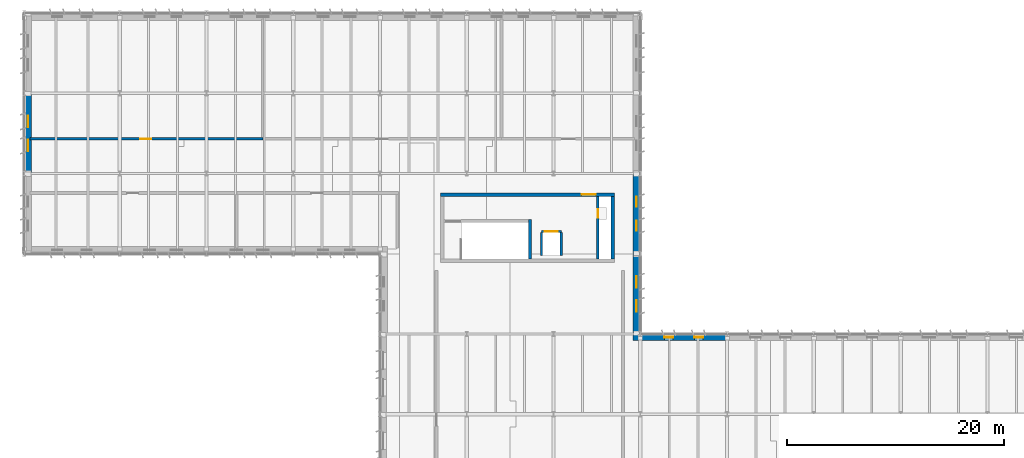
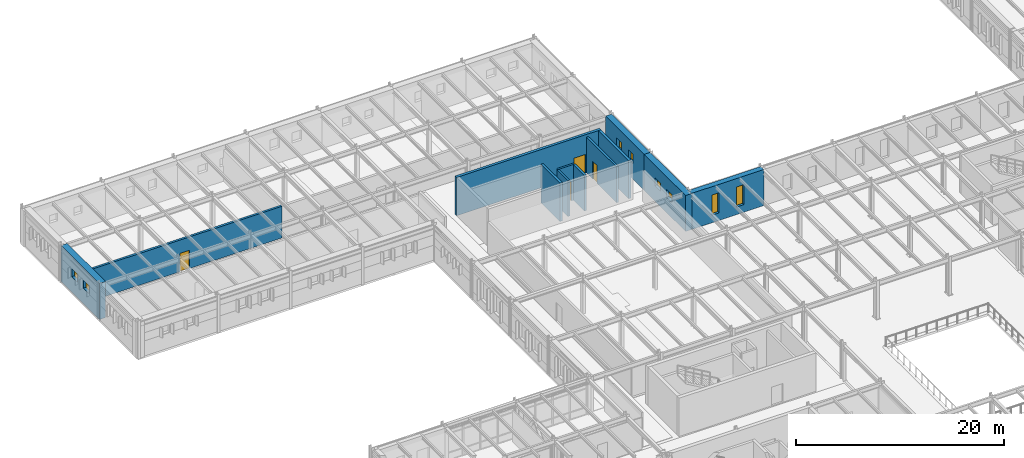
# One storey, part 46 of 75: 12 walls, 8 windows, 4 doors, 12 openings.
"""IFC4 building model written with IfcOpenShell, lengths in metres."""

from ifc_helpers import new_model, si_unit, direction, frame, frame_2d, origin, place, context, subcontext, project, spatial, rectangle, extrude, material, layer, layer_set, type_object, element, fill, save


model = new_model("IFC4")

# Units and contexts
model_context = context("Model", 3, precision=1e-05, world=origin(), true_north=direction((0.0, 1.0)))
body_context = subcontext(model_context, "Body", "Model", "MODEL_VIEW")
ifc_project = project(units=[si_unit("LENGTHUNIT", "METRE"), si_unit("AREAUNIT", "SQUARE_METRE"), si_unit("VOLUMEUNIT", "CUBIC_METRE"), si_unit("PLANEANGLEUNIT", "RADIAN"), si_unit("MASSUNIT", "GRAM", prefix="KILO")], contexts=[model_context])

# Site, building, storey
site_placement = place(None, origin())
site = spatial("IfcSite", under=ifc_project, at=site_placement, CompositionType="ELEMENT")
building_placement = place(site_placement, origin())
building = spatial("IfcBuilding", under=site, at=building_placement, Name="Valkorina Park Police Headquarters", CompositionType="ELEMENT")
storey_placement = place(building_placement, frame((0.0, 0.0, 5.39990234375)))
storey = spatial("IfcBuildingStorey", under=building, at=storey_placement, Name="L02", CompositionType="ELEMENT", Elevation=5.39990234375)

# Wall, opening, door
ifc_material_1 = material(Name="Autoclaved aerated concrete masonry", Category="masonry")
ifc_layer_1 = layer(ifc_material_1, 0.219970703125)
ifc_layer_set_1 = layer_set([ifc_layer_1], Name="Autoclaved aerated concrete masonry")
wall_type_1 = type_object("IfcWallType", Name="WL-CHASE-220-EI60", PredefinedType="PLUMBINGWALL", material=ifc_layer_set_1)
wall_1_placement = place(storey_placement, frame((47.68994140625, 90.860107421875, 0.0), z_axis=(0.0, 0.0, 1.0), x_axis=(1.0, 0.0, 0.0)))
wall_1 = element("IfcWall", 1, at=wall_1_placement, inside=storey, type_object=wall_type_1, Name="Lift LF-06 L02 Shaft Front Wall", PredefinedType="PLUMBINGWALL", context=body_context, shape_type="SweptSolid", body=[
    extrude(rectangle(XDim=1.820068359375, YDim=0.219970703125, at=frame_2d((0.91015625, 0.0))), origin(), (0.0, 0.0, 1.0), 4.2001953125),
])
opening_1_placement = place(wall_1_placement, frame((0.31005859375, 0.0, 0.0)))
opening_1 = element("IfcOpeningElement", 2, at=opening_1_placement, cuts=wall_1, Name="Opening LD-03", PredefinedType="OPENING", context=body_context, shape_type="SweptSolid", body=[
    extrude(rectangle(XDim=1.199951171875, YDim=2.25, at=frame_2d((0.60009765625, 1.125))), frame((0.0, 0.1201171875, 0.0), z_axis=(0.0, -1.0, 0.0), x_axis=(1.0, 0.0, 0.0)), (0.0, 0.0, 1.0), 0.239990234375),
])
ifc_material_2 = material(Name="Stainless steel EN 1.4404", Category="steel")
ifc_layer_2 = layer(ifc_material_2, 0.050048828125)
ifc_layer_set_2 = layer_set([ifc_layer_2], Name="Stainless steel EN 1.4404")
door_type_1 = type_object("IfcDoorType", Name="DR-LIFT-CUST-1200x2250", OperationType="NOTDEFINED", PredefinedType="DOOR", material=ifc_layer_set_2)
door_1_placement = place(opening_1_placement, origin())
door_1 = element("IfcDoor", 3, at=door_1_placement, inside=storey, type_object=door_type_1, Name="Lift Landing Door LF-06-L02", OperationType="DOUBLE_DOOR_SLIDING", OverallHeight=2.25, OverallWidth=1.199951171875, PredefinedType="DOOR", context=body_context, shape_type="SweptSolid", body=[
    extrude(rectangle(XDim=1.199951171875, YDim=2.25, at=frame_2d((0.60009765625, 1.125))), frame((0.0, 0.02490234375, 0.0), z_axis=(0.0, -1.0, 0.0), x_axis=(1.0, 0.0, 0.0)), (0.0, 0.0, 1.0), 0.050048828125),
])
fill(opening_1, door_1)

# Walls
for number, where, z_axis, x_axis, name in (
    (4, (47.68994140625, 88.64990234375, 0.0), (0.0, 0.0, 1.0), (0.0, 1.0, 0.0), "Lift LF-06 L02 Shaft Side Wall W"),
    (5, (49.510009765625, 88.64990234375, 0.0), (0.0, 0.0, 1.0), (0.0, 1.0, 0.0), "Lift LF-06 L02 Shaft Side Wall E"),
):
    element("IfcWall", number, at=place(storey_placement, frame(where, z_axis=z_axis, x_axis=x_axis)), inside=storey, type_object=wall_type_1, Name=name, PredefinedType="PLUMBINGWALL", context=body_context, shape_type="SweptSolid", body=[
        extrude(rectangle(XDim=2.10009765625, YDim=0.219970703125, at=frame_2d((1.050048828125, 0.0))), origin(), (0.0, 0.0, 1.0), 4.2001953125),
    ])

# Wall, opening, door
wall_2_placement = place(storey_placement, frame((52.889892578125, 88.300048828125, 0.0), z_axis=(0.0, 0.0, 1.0), x_axis=(0.0, 1.0, 0.0)))
wall_2 = element("IfcWall", 6, at=wall_2_placement, inside=storey, type_object=wall_type_1, Name="Core C4 L02 Riser Shaft West Wall", PredefinedType="PLUMBINGWALL", context=body_context, shape_type="SweptSolid", body=[
    extrude(rectangle(XDim=5.800048828125, YDim=0.219970703125, at=frame_2d((2.89990234375, 0.0))), origin(), (0.0, 0.0, 1.0), 4.2001953125),
])
opening_2_placement = place(wall_2_placement, frame((3.800048828125, 0.0, 0.0)))
opening_2 = element("IfcOpeningElement", 7, at=opening_2_placement, cuts=wall_2, Name="Opening ID-01", PredefinedType="OPENING", context=body_context, shape_type="SweptSolid", body=[
    extrude(rectangle(XDim=0.800048828125, YDim=2.10009765625, at=frame_2d((0.39990234375, 1.050048828125))), frame((0.0, 0.1201171875, 0.0), z_axis=(0.0, -1.0, 0.0), x_axis=(1.0, 0.0, 0.0)), (0.0, 0.0, 1.0), 0.239990234375),
])
ifc_material_3 = material(Name="Galvanized steel door leaf", Category="steel")
ifc_layer_3 = layer(ifc_material_3, 0.050048828125)
ifc_layer_set_3 = layer_set([ifc_layer_3], Name="Galvanized steel door leaf")
door_type_2 = type_object("IfcDoorType", Name="DR-INT-RISER-800x2100", OperationType="NOTDEFINED", PredefinedType="DOOR", material=ifc_layer_set_3)
door_2_placement = place(opening_2_placement, origin())
door_2 = element("IfcDoor", 8, at=door_2_placement, inside=storey, type_object=door_type_2, Name="Riser Shaft Access Door C4-L02", OperationType="SINGLE_SWING_RIGHT", OverallHeight=2.10009765625, OverallWidth=0.800048828125, PredefinedType="DOOR", context=body_context, shape_type="SweptSolid", body=[
    extrude(rectangle(XDim=0.800048828125, YDim=2.10009765625, at=frame_2d((0.39990234375, 1.050048828125))), frame((0.0, 0.02490234375, 0.0), z_axis=(0.0, -1.0, 0.0), x_axis=(1.0, 0.0, 0.0)), (0.0, 0.0, 1.0), 0.050048828125),
])
fill(opening_2, door_2)

ifc_material_4 = material(Name="Concrete C40/50", Category="concrete")
ifc_layer_4 = layer(ifc_material_4, 0.300048828125)
ifc_layer_set_4 = layer_set([ifc_layer_4], Name="Concrete C40/50")
wall_type_2 = type_object("IfcWallType", Name="WL-CORE-300-REI120", PredefinedType="SHEAR", material=ifc_layer_set_4)
wall_3_placement = place(storey_placement, frame((38.39990234375, 94.25, 0.0), z_axis=(0.0, 0.0, 1.0), x_axis=(1.0, 0.0, 0.0)))
wall_3 = element("IfcWall", 9, at=wall_3_placement, inside=storey, type_object=wall_type_2, Name="Core C4 L02 Shear Wall N", PredefinedType="SHEAR", context=body_context, shape_type="SweptSolid", body=[
    extrude(rectangle(XDim=16.0, YDim=0.300048828125, at=frame_2d((8.0, 0.0))), origin(), (0.0, 0.0, 1.0), 4.4951171875),
])
opening_3_placement = place(wall_3_placement, frame((13.0, 0.0, 0.0)))
opening_3 = element("IfcOpeningElement", 10, at=opening_3_placement, cuts=wall_3, Name="Opening FD-03", PredefinedType="OPENING", context=body_context, shape_type="SweptSolid", body=[
    extrude(rectangle(XDim=1.300048828125, YDim=2.199951171875, at=frame_2d((0.64990234375, 1.10009765625))), frame((0.0, 0.16015625, 0.0), z_axis=(0.0, -1.0, 0.0), x_axis=(1.0, 0.0, 0.0)), (0.0, 0.0, 1.0), 0.320068359375),
])
ifc_layer_5 = layer(ifc_material_3, 0.050048828125)
ifc_layer_set_5 = layer_set([ifc_layer_5], Name="Galvanized steel door leaf")
door_type_3 = type_object("IfcDoorType", Name="DR-FIRE-STAIR-1300x2200", OperationType="NOTDEFINED", PredefinedType="DOOR", material=ifc_layer_set_5)
door_3_placement = place(opening_3_placement, origin())
door_3 = element("IfcDoor", 11, at=door_3_placement, inside=storey, type_object=door_type_3, Name="Door D-L02-LBY-C4 (Core C4 Lobby Fire Door)", OperationType="SINGLE_SWING_LEFT", OverallHeight=2.199951171875, OverallWidth=1.300048828125, PredefinedType="DOOR", context=body_context, shape_type="SweptSolid", body=[
    extrude(rectangle(XDim=1.300048828125, YDim=2.199951171875, at=frame_2d((0.64990234375, 1.10009765625))), frame((0.0, 0.02490234375, 0.0), z_axis=(0.0, -1.0, 0.0), x_axis=(1.0, 0.0, 0.0)), (0.0, 0.0, 1.0), 0.050048828125),
])
fill(opening_3, door_3)

# Wall
wall_4_placement = place(storey_placement, frame((54.25, 88.300048828125, 0.0), z_axis=(0.0, 0.0, 1.0), x_axis=(0.0, 1.0, 0.0)))
element("IfcWall", 12, at=wall_4_placement, inside=storey, type_object=wall_type_2, Name="Core C4 L02 Shear Wall E", PredefinedType="SHEAR", context=body_context, shape_type="SweptSolid", body=[
    extrude(rectangle(XDim=5.800048828125, YDim=0.300048828125, at=frame_2d((2.89990234375, 0.0))), origin(), (0.0, 0.0, 1.0), 4.4951171875),
])

# Wall, opening, door
ifc_layer_6 = layer(ifc_material_4, 0.25)
ifc_layer_set_6 = layer_set([ifc_layer_6], Name="Concrete C40/50")
wall_type_3 = type_object("IfcWallType", Name="WL-CUST-250-REI120", PredefinedType="SOLIDWALL", material=ifc_layer_set_6)
wall_5_placement = place(storey_placement, frame((0.5400390625, 99.39990234375, 0.0), z_axis=(0.0, 0.0, 1.0), x_axis=(1.0, 0.0, 0.0)))
wall_5 = element("IfcWall", 13, at=wall_5_placement, inside=storey, type_object=wall_type_3, Name="L02 Interior Partition 0129 (L02-CELL-A)", PredefinedType="SOLIDWALL", context=body_context, shape_type="SweptSolid", body=[
    extrude(rectangle(XDim=21.4599609375, YDim=0.25, at=frame_2d((10.72998046875, 0.0))), origin(), (0.0, 0.0, 1.0), 3.710205078125),
])
opening_4_placement = place(wall_5_placement, frame((10.135009765625, 0.0, 0.0)))
opening_4 = element("IfcOpeningElement", 14, at=opening_4_placement, cuts=wall_5, Name="Opening FD-01", PredefinedType="OPENING", context=body_context, shape_type="SweptSolid", body=[
    extrude(rectangle(XDim=1.050048828125, YDim=2.14990234375, at=frame_2d((0.52490234375, 1.074951171875))), frame((0.0, 0.135009765625, 0.0), z_axis=(0.0, -1.0, 0.0), x_axis=(1.0, 0.0, 0.0)), (0.0, 0.0, 1.0), 0.27001953125),
])
ifc_layer_7 = layer(ifc_material_3, 0.050048828125)
ifc_layer_set_7 = layer_set([ifc_layer_7], Name="Galvanized steel door leaf")
door_type_4 = type_object("IfcDoorType", Name="DR-FIRE-CELL-1050x2150", OperationType="NOTDEFINED", PredefinedType="DOOR", material=ifc_layer_set_7)
door_4_placement = place(opening_4_placement, origin())
door_4 = element("IfcDoor", 15, at=door_4_placement, inside=storey, type_object=door_type_4, Name="Door D-L02-I059 (L02-CELL-A)", OperationType="SINGLE_SWING_RIGHT", OverallHeight=2.14990234375, OverallWidth=1.050048828125, PredefinedType="DOOR", context=body_context, shape_type="SweptSolid", body=[
    extrude(rectangle(XDim=1.050048828125, YDim=2.14990234375, at=frame_2d((0.52490234375, 1.074951171875))), frame((0.0, 0.02490234375, 0.0), z_axis=(0.0, -1.0, 0.0), x_axis=(1.0, 0.0, 0.0)), (0.0, 0.0, 1.0), 0.050048828125),
])
fill(opening_4, door_4)

# Wall, openings, windows
ifc_material_5 = material(Name="Concrete C35/45", Category="concrete")
ifc_layer_8 = layer(ifc_material_5, 0.580078125)
ifc_layer_set_8 = layer_set([ifc_layer_8], Name="Concrete C35/45")
wall_type_4 = type_object("IfcWallType", Name="WL-EXT-BOARD-580", PredefinedType="STANDARD", material=ifc_layer_set_8)
wall_6_placement = place(storey_placement, frame((56.800048828125, 81.110107421875, 0.0), z_axis=(0.0, 0.0, 1.0), x_axis=(1.0, 0.0, 0.0)))
wall_6 = element("IfcWall", 16, at=wall_6_placement, inside=storey, type_object=wall_type_4, Name="L02 Architectural Concrete Exterior Wall 0135", PredefinedType="STANDARD", context=body_context, shape_type="SweptSolid", body=[
    extrude(rectangle(XDim=8.0, YDim=0.580078125, at=frame_2d((4.0, 0.0))), origin(), (0.0, 0.0, 1.0), 4.239990234375),
])
opening_5_placement = place(wall_6_placement, frame((2.217529296875, 0.0, 0.89990234375)))
opening_5 = element("IfcOpeningElement", 17, at=opening_5_placement, cuts=wall_6, Name="Opening WN-12", PredefinedType="OPENING", context=body_context, shape_type="SweptSolid", body=[
    extrude(rectangle(XDim=0.800048828125, YDim=2.35009765625, at=frame_2d((0.39990234375, 1.175048828125))), frame((0.0, 0.300048828125, 0.0), z_axis=(0.0, -1.0, 0.0), x_axis=(1.0, 0.0, 0.0)), (0.0, 0.0, 1.0), 0.60009765625),
])
opening_6_placement = place(wall_6_placement, frame((4.982421875, 0.0, 0.89990234375)))
opening_6 = element("IfcOpeningElement", 18, at=opening_6_placement, cuts=wall_6, Name="Opening WN-12", PredefinedType="OPENING", context=body_context, shape_type="SweptSolid", body=[
    extrude(rectangle(XDim=0.800048828125, YDim=2.35009765625, at=frame_2d((0.39990234375, 1.175048828125))), frame((0.0, 0.300048828125, 0.0), z_axis=(0.0, -1.0, 0.0), x_axis=(1.0, 0.0, 0.0)), (0.0, 0.0, 1.0), 0.60009765625),
])
ifc_material_6 = material(Name="Triple low-E insulated glazing", Category="glass")
ifc_layer_9 = layer(ifc_material_6, 0.06005859375)
ifc_layer_set_9 = layer_set([ifc_layer_9], Name="Triple low-E insulated glazing")
window_type_1 = type_object("IfcWindowType", Name="WN-SLOT-800x2350", PartitioningType="SINGLE_PANEL", PredefinedType="WINDOW", material=ifc_layer_set_9)
window_1_placement = place(opening_5_placement, origin())
window_1 = element("IfcWindow", 19, at=window_1_placement, inside=storey, type_object=window_type_1, Name="Window L02-0222", OverallHeight=2.35009765625, OverallWidth=0.800048828125, PartitioningType="SINGLE_PANEL", PredefinedType="WINDOW", context=body_context, shape_type="SweptSolid", body=[
    extrude(rectangle(XDim=0.800048828125, YDim=2.35009765625, at=frame_2d((0.39990234375, 1.175048828125))), frame((0.0, 0.030029296875, 0.0), z_axis=(0.0, -1.0, 0.0), x_axis=(1.0, 0.0, 0.0)), (0.0, 0.0, 1.0), 0.06005859375),
])
fill(opening_5, window_1)
window_2_placement = place(opening_6_placement, origin())
window_2 = element("IfcWindow", 20, at=window_2_placement, inside=storey, type_object=window_type_1, Name="Window L02-0223", OverallHeight=2.35009765625, OverallWidth=0.800048828125, PartitioningType="SINGLE_PANEL", PredefinedType="WINDOW", context=body_context, shape_type="SweptSolid", body=[
    extrude(rectangle(XDim=0.800048828125, YDim=2.35009765625, at=frame_2d((0.39990234375, 1.175048828125))), frame((0.0, 0.030029296875, 0.0), z_axis=(0.0, -1.0, 0.0), x_axis=(1.0, 0.0, 0.0)), (0.0, 0.0, 1.0), 0.06005859375),
])
fill(opening_6, window_2)

ifc_material_7 = material(Name="Precast concrete C40/50", Category="concrete")
ifc_layer_10 = layer(ifc_material_7, 0.679931640625)
ifc_layer_set_10 = layer_set([ifc_layer_10], Name="Precast concrete C40/50")
wall_type_5 = type_object("IfcWallType", Name="WL-EXT-DOLOMITE-680", PredefinedType="SOLIDWALL", material=ifc_layer_set_10)
wall_7_placement = place(storey_placement, frame((0.340087890625, 96.199951171875, 0.0), z_axis=(0.0, 0.0, 1.0), x_axis=(0.0, 1.0, 0.0)))
wall_7 = element("IfcWall", 21, at=wall_7_placement, inside=storey, type_object=wall_type_5, Name="L02 Architectural Concrete Exterior Wall 0122", PredefinedType="SOLIDWALL", context=body_context, shape_type="SweptSolid", body=[
    extrude(rectangle(XDim=7.400146484375, YDim=0.679931640625, at=frame_2d((3.7001953125, 0.0))), origin(), (0.0, 0.0, 1.0), 4.22021484375),
])
opening_7_placement = place(wall_7_placement, frame((2.066162109375, 0.0, 1.800048828125)))
opening_7 = element("IfcOpeningElement", 22, at=opening_7_placement, cuts=wall_7, Name="Opening WN-15", PredefinedType="OPENING", context=body_context, shape_type="SweptSolid", body=[
    extrude(rectangle(XDim=1.050048828125, YDim=0.949951171875, at=frame_2d((0.52490234375, 0.47509765625))), frame((0.0, 0.35009765625, 0.0), z_axis=(0.0, -1.0, 0.0), x_axis=(1.0, 0.0, 0.0)), (0.0, 0.0, 1.0), 0.699951171875),
])
opening_8_placement = place(wall_7_placement, frame((4.28369140625, 0.0, 1.800048828125)))
opening_8 = element("IfcOpeningElement", 23, at=opening_8_placement, cuts=wall_7, Name="Opening WN-15", PredefinedType="OPENING", context=body_context, shape_type="SweptSolid", body=[
    extrude(rectangle(XDim=1.050048828125, YDim=0.949951171875, at=frame_2d((0.52490234375, 0.47509765625))), frame((0.0, 0.35009765625, 0.0), z_axis=(0.0, -1.0, 0.0), x_axis=(1.0, 0.0, 0.0)), (0.0, 0.0, 1.0), 0.699951171875),
])
ifc_material_8 = material(Name="Ballistic laminated glazing BR4-NS", Category="glass")
ifc_layer_11 = layer(ifc_material_8, 0.06005859375)
ifc_layer_set_11 = layer_set([ifc_layer_11], Name="Ballistic laminated glazing BR4-NS")
window_type_2 = type_object("IfcWindowType", Name="WN-CUST-1050x950", PartitioningType="SINGLE_PANEL", PredefinedType="WINDOW", material=ifc_layer_set_11)
window_3_placement = place(opening_7_placement, origin())
window_3 = element("IfcWindow", 24, at=window_3_placement, inside=storey, type_object=window_type_2, Name="Window L02-0196", OverallHeight=0.949951171875, OverallWidth=1.050048828125, PartitioningType="SINGLE_PANEL", PredefinedType="WINDOW", context=body_context, shape_type="SweptSolid", body=[
    extrude(rectangle(XDim=1.050048828125, YDim=0.949951171875, at=frame_2d((0.52490234375, 0.47509765625))), frame((0.0, 0.030029296875, 0.0), z_axis=(0.0, -1.0, 0.0), x_axis=(1.0, 0.0, 0.0)), (0.0, 0.0, 1.0), 0.06005859375),
])
fill(opening_7, window_3)
window_4_placement = place(opening_8_placement, origin())
window_4 = element("IfcWindow", 25, at=window_4_placement, inside=storey, type_object=window_type_2, Name="Window L02-0197", OverallHeight=0.949951171875, OverallWidth=1.050048828125, PartitioningType="SINGLE_PANEL", PredefinedType="WINDOW", context=body_context, shape_type="SweptSolid", body=[
    extrude(rectangle(XDim=1.050048828125, YDim=0.949951171875, at=frame_2d((0.52490234375, 0.47509765625))), frame((0.0, 0.030029296875, 0.0), z_axis=(0.0, -1.0, 0.0), x_axis=(1.0, 0.0, 0.0)), (0.0, 0.0, 1.0), 0.06005859375),
])
fill(opening_8, window_4)

wall_8_placement = place(storey_placement, frame((56.4599609375, 96.199951171875, 0.0), z_axis=(0.0, 0.0, 1.0), x_axis=(0.0, -1.0, 0.0)))
wall_8 = element("IfcWall", 26, at=wall_8_placement, inside=storey, type_object=wall_type_5, Name="L02 Architectural Concrete Exterior Wall 0133", PredefinedType="SOLIDWALL", context=body_context, shape_type="SweptSolid", body=[
    extrude(rectangle(XDim=7.39990234375, YDim=0.679931640625, at=frame_2d((3.699951171875, 0.0))), origin(), (0.0, 0.0, 1.0), 4.22021484375),
])
opening_9_placement = place(wall_8_placement, frame((2.14111328125, 0.0, 1.800048828125)))
opening_9 = element("IfcOpeningElement", 27, at=opening_9_placement, cuts=wall_8, Name="Opening WN-14", PredefinedType="OPENING", context=body_context, shape_type="SweptSolid", body=[
    extrude(rectangle(XDim=0.89990234375, YDim=1.14990234375, at=frame_2d((0.449951171875, 0.574951171875))), frame((0.0, 0.35009765625, 0.0), z_axis=(0.0, -1.0, 0.0), x_axis=(1.0, 0.0, 0.0)), (0.0, 0.0, 1.0), 0.699951171875),
])
opening_10_placement = place(wall_8_placement, frame((4.35888671875, 0.0, 1.800048828125)))
opening_10 = element("IfcOpeningElement", 28, at=opening_10_placement, cuts=wall_8, Name="Opening WN-14", PredefinedType="OPENING", context=body_context, shape_type="SweptSolid", body=[
    extrude(rectangle(XDim=0.89990234375, YDim=1.14990234375, at=frame_2d((0.449951171875, 0.574951171875))), frame((0.0, 0.35009765625, 0.0), z_axis=(0.0, -1.0, 0.0), x_axis=(1.0, 0.0, 0.0)), (0.0, 0.0, 1.0), 0.699951171875),
])
ifc_layer_12 = layer(ifc_material_8, 0.06005859375)
ifc_layer_set_12 = layer_set([ifc_layer_12], Name="Ballistic laminated glazing BR4-NS")
window_type_3 = type_object("IfcWindowType", Name="WN-CUST-900x1150", PartitioningType="SINGLE_PANEL", PredefinedType="WINDOW", material=ifc_layer_set_12)
window_5_placement = place(opening_9_placement, origin())
window_5 = element("IfcWindow", 29, at=window_5_placement, inside=storey, type_object=window_type_3, Name="Window L02-0218", OverallHeight=1.14990234375, OverallWidth=0.89990234375, PartitioningType="SINGLE_PANEL", PredefinedType="WINDOW", context=body_context, shape_type="SweptSolid", body=[
    extrude(rectangle(XDim=0.89990234375, YDim=1.14990234375, at=frame_2d((0.449951171875, 0.574951171875))), frame((0.0, 0.030029296875, 0.0), z_axis=(0.0, -1.0, 0.0), x_axis=(1.0, 0.0, 0.0)), (0.0, 0.0, 1.0), 0.06005859375),
])
fill(opening_9, window_5)
window_6_placement = place(opening_10_placement, origin())
window_6 = element("IfcWindow", 30, at=window_6_placement, inside=storey, type_object=window_type_3, Name="Window L02-0219", OverallHeight=1.14990234375, OverallWidth=0.89990234375, PartitioningType="SINGLE_PANEL", PredefinedType="WINDOW", context=body_context, shape_type="SweptSolid", body=[
    extrude(rectangle(XDim=0.89990234375, YDim=1.14990234375, at=frame_2d((0.449951171875, 0.574951171875))), frame((0.0, 0.030029296875, 0.0), z_axis=(0.0, -1.0, 0.0), x_axis=(1.0, 0.0, 0.0)), (0.0, 0.0, 1.0), 0.06005859375),
])
fill(opening_10, window_6)

wall_9_placement = place(storey_placement, frame((56.4599609375, 88.800048828125, 0.0), z_axis=(0.0, 0.0, 1.0), x_axis=(0.0, -1.0, 0.0)))
wall_9 = element("IfcWall", 31, at=wall_9_placement, inside=storey, type_object=wall_type_5, Name="L02 Architectural Concrete Exterior Wall 0134", PredefinedType="SOLIDWALL", context=body_context, shape_type="SweptSolid", body=[
    extrude(rectangle(XDim=7.97998046875, YDim=0.679931640625, at=frame_2d((3.989990234375, 0.0))), origin(), (0.0, 0.0, 1.0), 4.22021484375),
])
opening_11_placement = place(wall_9_placement, frame((2.066162109375, 0.0, 1.800048828125)))
opening_11 = element("IfcOpeningElement", 32, at=opening_11_placement, cuts=wall_9, Name="Opening WN-15", PredefinedType="OPENING", context=body_context, shape_type="SweptSolid", body=[
    extrude(rectangle(XDim=1.050048828125, YDim=0.949951171875, at=frame_2d((0.52490234375, 0.47509765625))), frame((0.0, 0.35009765625, 0.0), z_axis=(0.0, -1.0, 0.0), x_axis=(1.0, 0.0, 0.0)), (0.0, 0.0, 1.0), 0.699951171875),
])
opening_12_placement = place(wall_9_placement, frame((4.28369140625, 0.0, 1.800048828125)))
opening_12 = element("IfcOpeningElement", 33, at=opening_12_placement, cuts=wall_9, Name="Opening WN-15", PredefinedType="OPENING", context=body_context, shape_type="SweptSolid", body=[
    extrude(rectangle(XDim=1.050048828125, YDim=0.949951171875, at=frame_2d((0.52490234375, 0.47509765625))), frame((0.0, 0.35009765625, 0.0), z_axis=(0.0, -1.0, 0.0), x_axis=(1.0, 0.0, 0.0)), (0.0, 0.0, 1.0), 0.699951171875),
])
window_7_placement = place(opening_11_placement, origin())
window_7 = element("IfcWindow", 34, at=window_7_placement, inside=storey, type_object=window_type_2, Name="Window L02-0220", OverallHeight=0.949951171875, OverallWidth=1.050048828125, PartitioningType="SINGLE_PANEL", PredefinedType="WINDOW", context=body_context, shape_type="SweptSolid", body=[
    extrude(rectangle(XDim=1.050048828125, YDim=0.949951171875, at=frame_2d((0.52490234375, 0.47509765625))), frame((0.0, 0.030029296875, 0.0), z_axis=(0.0, -1.0, 0.0), x_axis=(1.0, 0.0, 0.0)), (0.0, 0.0, 1.0), 0.06005859375),
])
fill(opening_11, window_7)
window_8_placement = place(opening_12_placement, origin())
window_8 = element("IfcWindow", 35, at=window_8_placement, inside=storey, type_object=window_type_2, Name="Window L02-0221", OverallHeight=0.949951171875, OverallWidth=1.050048828125, PartitioningType="SINGLE_PANEL", PredefinedType="WINDOW", context=body_context, shape_type="SweptSolid", body=[
    extrude(rectangle(XDim=1.050048828125, YDim=0.949951171875, at=frame_2d((0.52490234375, 0.47509765625))), frame((0.0, 0.030029296875, 0.0), z_axis=(0.0, -1.0, 0.0), x_axis=(1.0, 0.0, 0.0)), (0.0, 0.0, 1.0), 0.06005859375),
])
fill(opening_12, window_8)

# Wall
ifc_layer_13 = layer(ifc_material_4, 0.280029296875)
ifc_layer_set_13 = layer_set([ifc_layer_13], Name="Concrete C40/50")
wall_type_6 = type_object("IfcWallType", Name="WL-STAIR-280-REI120", PredefinedType="SHEAR", material=ifc_layer_set_13)
wall_10_placement = place(storey_placement, frame((46.639892578125, 88.300048828125, 0.0), z_axis=(0.0, 0.0, 1.0), x_axis=(0.0, 1.0, 0.0)))
element("IfcWall", 36, at=wall_10_placement, inside=storey, type_object=wall_type_6, Name="Core C4 L02 Shear Wall DIV", PredefinedType="SHEAR", context=body_context, shape_type="SweptSolid", body=[
    extrude(rectangle(XDim=3.679931640625, YDim=0.280029296875, at=frame_2d((1.83984375, 0.0))), origin(), (0.0, 0.0, 1.0), 4.4951171875),
])

save(model, "model.ifc")
